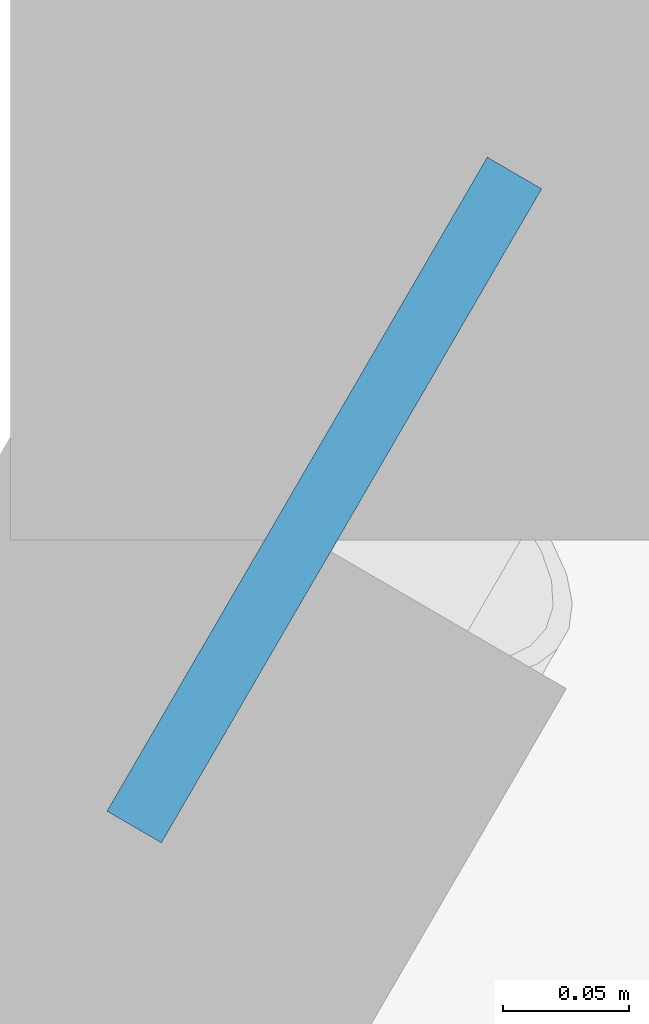
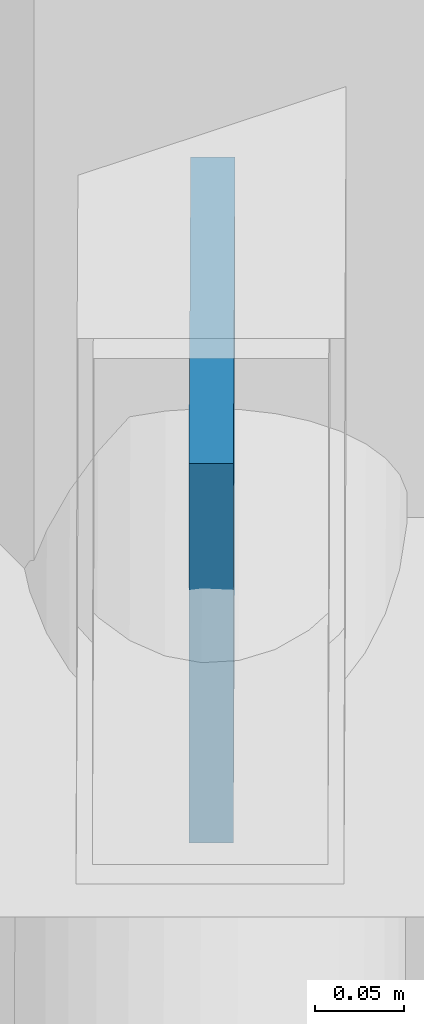
# One storey, part 104 of 130: 1 plate.
"""IFC4 building model written with IfcOpenShell, lengths in metres."""

from ifc_helpers import new_model, si_unit, direction, frame, origin, origin_2d, place, context, subcontext, project, spatial, rectangle, extrude, material, layer, layer_set, type_object, element, save


model = new_model("IFC4")

# Units and contexts
model_context = context("Model", 3, precision=1e-05, world=origin(), true_north=direction((0.0, 1.0)))
body_context = subcontext(model_context, "Body", "Model", "MODEL_VIEW")
ifc_project = project(units=[si_unit("LENGTHUNIT", "METRE"), si_unit("AREAUNIT", "SQUARE_METRE"), si_unit("VOLUMEUNIT", "CUBIC_METRE"), si_unit("PLANEANGLEUNIT", "RADIAN"), si_unit("MASSUNIT", "GRAM", prefix="KILO")], contexts=[model_context])

# Site, building, storey
site_placement = place(None, origin())
site = spatial("IfcSite", under=ifc_project, at=site_placement, CompositionType="ELEMENT")
building_placement = place(site_placement, origin())
building = spatial("IfcBuilding", under=site, at=building_placement, Name="Karori Crest Natural Sciences Institute", CompositionType="ELEMENT")
storey_placement = place(building_placement, frame((0.0, 0.0, 17.5)))
storey = spatial("IfcBuildingStorey", under=building, at=storey_placement, Name="L04", CompositionType="ELEMENT", Elevation=17.5)

# Plate
ifc_material = material(Name="Structural steel AS/NZS 3679.1 Grade 350", Category="steel")
ifc_layer = layer(ifc_material, 0.02490234375, Name="Structural steel AS/NZS 3679.1 Grade 350")
ifc_layer_set = layer_set([ifc_layer], Name="Structural steel AS/NZS 3679.1 Grade 350")
plate_type = type_object("IfcPlateType", Name="PLT-06", PredefinedType="SHEET", material=ifc_layer_set)
plate_placement = place(storey_placement, frame((87.380126953125, 33.540771484375, 3.5205078125), z_axis=(0.0, 0.0, 1.0), x_axis=(0.502651840669, 0.86448893982, 0.0)))
element("IfcPlate", 1, at=plate_placement, inside=storey, type_object=plate_type, Name="Brace gusset plate EP-0048", PredefinedType="SHEET", context=body_context, shape_type="SweptSolid", body=[
    extrude(rectangle(XDim=0.299072265625, YDim=0.02490234375, at=origin_2d()), origin(), (0.0, 0.0, 1.0), 0.259033203125),
])

save(model, "model.ifc")
